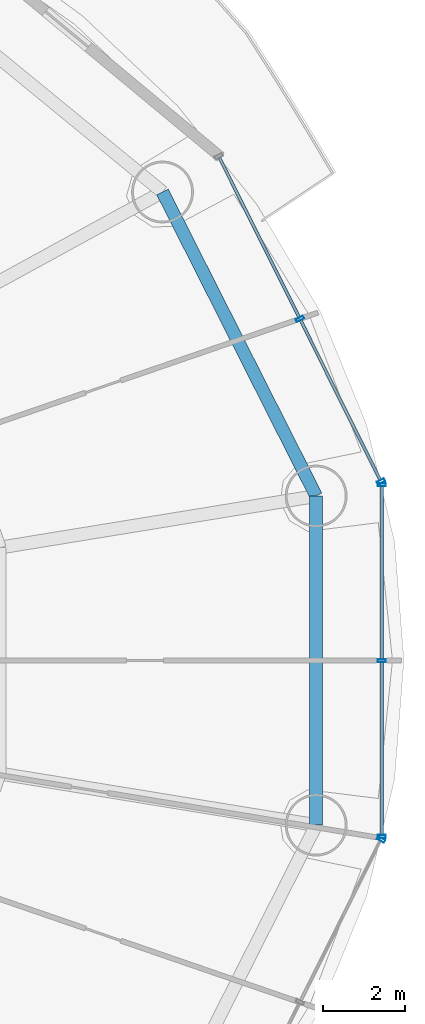
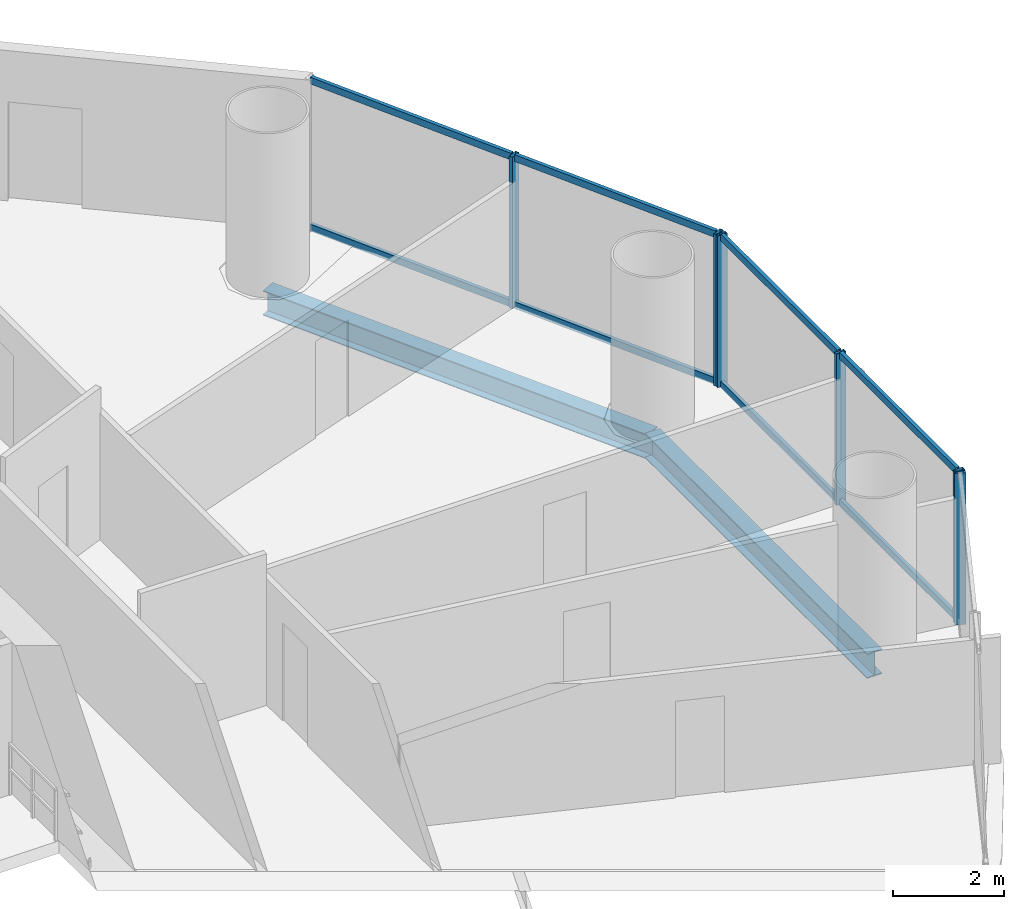
# One storey, part 15 of 29: 14 members, 2 beams, 3 elements without a shape of their own.
"""IFC4 building model written with IfcOpenShell, lengths in metres."""

from ifc_helpers import new_model, si_unit, direction, frame, origin, origin_2d, place, context, subcontext, project, spatial, hollow_rectangle, i_section, extrude, source, transform, mapped, material, material_profile, profile_set, type_object, element, aggregate, save


model = new_model("IFC4")

# Units and contexts
model_context = context("Model", 3, precision=1e-05, world=origin(), true_north=direction((-0.2419218956, 0.970295726276)))
body_context = subcontext(model_context, "Body", "Model", "MODEL_VIEW")
ifc_project = project(units=[si_unit("LENGTHUNIT", "METRE"), si_unit("AREAUNIT", "SQUARE_METRE"), si_unit("VOLUMEUNIT", "CUBIC_METRE"), si_unit("PLANEANGLEUNIT", "RADIAN"), si_unit("MASSUNIT", "GRAM", prefix="KILO")], contexts=[model_context])

# Site, building, storey
site_placement = place(None, origin())
site = spatial("IfcSite", under=ifc_project, at=site_placement, CompositionType="ELEMENT")
building_placement = place(site_placement, origin())
building = spatial("IfcBuilding", under=site, at=building_placement, Name="Cobrevalo Terracotta Tower", CompositionType="ELEMENT")
storey_placement = place(building_placement, frame((0.0, 0.0, 115.800048828125)))
storey = spatial("IfcBuildingStorey", under=building, at=storey_placement, Name="L30", CompositionType="ELEMENT", Elevation=115.800048828125)

# Beams
ifc_material_1 = material(Name="Steel S355", Category="steel")
ifc_material_profile_1 = material_profile(ifc_material_1, i_section(OverallWidth=0.31201171875, OverallDepth=0.54296875, WebThickness=0.0126953125, FlangeThickness=0.020263671875, at=origin_2d()), Name="W 530x150")
ifc_profile_set_1 = profile_set([ifc_material_profile_1], Name="Steel S355")
beam_type = type_object("IfcBeamType", Name="Structural Spandrel W 530x150 (Steel S355)", PredefinedType="SPANDREL", material=ifc_profile_set_1)
beam_1_placement = place(storey_placement, frame((62.470703125, 30.78955078125, -0.546630859375), z_axis=(-0.451051982172, 0.892497680321, 0.0), x_axis=(-0.892497680321, -0.451051982172, 0.0)))
element("IfcBeam", 1, at=beam_1_placement, inside=storey, type_object=beam_type, Name="L30 perimeter ring spandrel 01", PredefinedType="SPANDREL", context=body_context, shape_type="SweptSolid", body=[
    extrude(i_section(OverallWidth=0.31201171875, OverallDepth=0.54296875, WebThickness=0.0126953125, FlangeThickness=0.020263671875, at=origin_2d()), origin(), (0.0, 0.0, 1.0), 8.259765625),
])
beam_2_placement = place(storey_placement, frame((62.470703125, 22.810302734375, -0.546630859375), z_axis=(0.0, 1.0, 0.0), x_axis=(-1.0, 0.0, 0.0)))
element("IfcBeam", 2, at=beam_2_placement, inside=storey, type_object=beam_type, Name="L30 perimeter ring spandrel 16", PredefinedType="SPANDREL", context=body_context, shape_type="SweptSolid", body=[
    extrude(i_section(OverallWidth=0.31201171875, OverallDepth=0.54296875, WebThickness=0.0126953125, FlangeThickness=0.020263671875, at=origin_2d()), origin(), (0.0, 0.0, 1.0), 7.979248046875),
])

# Curtain wall, members
ifc_material_2 = material(Name="Anodized aluminium", Category="aluminium")
curtain_wall_type = type_object("IfcCurtainWallType", Name="Lower-tower unitised acoustic low-E curtain wall CW-U1", PredefinedType="NOTDEFINED", material=ifc_material_2)
curtain_wall_1_placement = place(storey_placement, origin())
curtain_wall_1 = element("IfcCurtainWall", 3, at=curtain_wall_1_placement, inside=storey, type_object=curtain_wall_type, Name="L30 curtain wall CW-L30-S16", PredefinedType="NOTDEFINED")
ifc_material_profile_2 = material_profile(ifc_material_2, hollow_rectangle(XDim=0.074951171875, YDim=0.14990234375, WallThickness=0.00439453125, at=origin_2d()), Name="CWT 75x150")
ifc_profile_set_2 = profile_set([ifc_material_profile_2], Name="Anodized aluminium")
member_type_1 = type_object("IfcMemberType", Name="Tower unitised aluminium transom 75x150", PredefinedType="USERDEFINED", material=ifc_profile_set_2)
shared_shape_1 = source(origin(), body_context, "Body", "SweptSolid", [
    extrude(hollow_rectangle(XDim=0.074951171875, YDim=0.14990234375, WallThickness=0.00439453125, at=origin_2d()), origin(), (0.0, 0.0, 1.0), 4.185546875),
])
member_1_placement = place(storey_placement, frame((64.0595703125, 22.574462890625, 0.050048828125), z_axis=(0.0, 1.0, 0.0), x_axis=(-1.0, 0.0, 0.0)))
member_1 = element("IfcMember", 4, at=member_1_placement, type_object=member_type_1, Name="CW-L30-S16 transom B01-T1", ObjectType="TRANSOM", PredefinedType="USERDEFINED", context=body_context, shape_type="MappedRepresentation", body=[
    mapped(shared_shape_1, transform((0.0, 0.0, 0.0), scale=1.0)),
])
member_2_placement = place(storey_placement, frame((64.0595703125, 22.574462890625, 3.27490234375), z_axis=(0.0, 1.0, 0.0), x_axis=(-1.0, 0.0, 0.0)))
member_2 = element("IfcMember", 5, at=member_2_placement, type_object=member_type_1, Name="CW-L30-S16 transom B01-T2", ObjectType="TRANSOM", PredefinedType="USERDEFINED", context=body_context, shape_type="MappedRepresentation", body=[
    mapped(shared_shape_1, transform((0.0, 0.0, 0.0), scale=1.0)),
])
member_3_placement = place(storey_placement, frame((64.0595703125, 26.840087890625, 0.050048828125), z_axis=(0.0, 1.0, 0.0), x_axis=(-1.0, 0.0, 0.0)))
member_3 = element("IfcMember", 6, at=member_3_placement, type_object=member_type_1, Name="CW-L30-S16 transom B02-T1", ObjectType="TRANSOM", PredefinedType="USERDEFINED", context=body_context, shape_type="MappedRepresentation", body=[
    mapped(shared_shape_1, transform((0.0, 0.0, 0.0), scale=1.0)),
])
member_4_placement = place(storey_placement, frame((64.0595703125, 26.840087890625, 3.27490234375), z_axis=(0.0, 1.0, 0.0), x_axis=(-1.0, 0.0, 0.0)))
member_4 = element("IfcMember", 7, at=member_4_placement, type_object=member_type_1, Name="CW-L30-S16 transom B02-T2", ObjectType="TRANSOM", PredefinedType="USERDEFINED", context=body_context, shape_type="MappedRepresentation", body=[
    mapped(shared_shape_1, transform((0.0, 0.0, 0.0), scale=1.0)),
])

curtain_wall_2_placement = place(storey_placement, origin())
curtain_wall_2 = element("IfcCurtainWall", 8, at=curtain_wall_2_placement, inside=storey, type_object=curtain_wall_type, Name="L30 curtain wall CW-L30-S01", PredefinedType="NOTDEFINED")
ifc_material_profile_3 = material_profile(ifc_material_2, hollow_rectangle(XDim=0.074951171875, YDim=0.199951171875, WallThickness=0.0048828125, at=origin_2d()), Name="CWM 75x200")
ifc_profile_set_3 = profile_set([ifc_material_profile_3], Name="Anodized aluminium")
member_type_2 = type_object("IfcMemberType", Name="Lower/mid tower unitised mullion 75x200", PredefinedType="MULLION", material=ifc_profile_set_3)
shared_shape_2 = source(origin(), body_context, "Body", "SweptSolid", [
    extrude(hollow_rectangle(XDim=0.074951171875, YDim=0.199951171875, WallThickness=0.0048828125, at=origin_2d()), origin(), (0.0, 0.0, 1.0), 3.324951171875),
])
member_5_placement = place(storey_placement, frame((64.04150390625, 31.141357421875, 0.0), z_axis=(0.0, 0.0, 1.0), x_axis=(-0.446260290227, 0.894903208937, 0.0)))
member_5 = element("IfcMember", 9, at=member_5_placement, type_object=member_type_2, Name="CW-L30-S01 vertical mullion 01", PredefinedType="MULLION", context=body_context, shape_type="MappedRepresentation", body=[
    mapped(shared_shape_2, transform((0.0, 0.0, 0.0), scale=1.0)),
])
member_6_placement = place(storey_placement, frame((62.075927734375, 35.08349609375, 0.0), z_axis=(0.0, 0.0, 1.0), x_axis=(-0.446260290227, 0.894903208937, 0.0)))
member_6 = element("IfcMember", 10, at=member_6_placement, type_object=member_type_2, Name="CW-L30-S01 vertical mullion 02", PredefinedType="MULLION", context=body_context, shape_type="MappedRepresentation", body=[
    mapped(shared_shape_2, transform((0.0, 0.0, 0.0), scale=1.0)),
])

# Curtain wall, member
curtain_wall_3_placement = place(storey_placement, origin())
curtain_wall_3 = element("IfcCurtainWall", 11, at=curtain_wall_3_placement, inside=storey, type_object=curtain_wall_type, Name="L30 curtain wall CW-L30-S15", PredefinedType="NOTDEFINED")
member_7_placement = place(storey_placement, frame((64.04150390625, 22.45849609375, 0.0), z_axis=(0.0, 0.0, 1.0), x_axis=(0.446260290227, 0.894903208937, 0.0)))
member_7 = element("IfcMember", 12, at=member_7_placement, type_object=member_type_2, Name="CW-L30-S15 vertical mullion 03", PredefinedType="MULLION", context=body_context, shape_type="MappedRepresentation", body=[
    mapped(shared_shape_2, transform((0.0, 0.0, 0.0), scale=1.0)),
])
aggregate(curtain_wall_3, [member_7])

# Member
member_8_placement = place(storey_placement, frame((64.0595703125, 22.534423828125, 0.0), z_axis=(0.0, 0.0, 1.0), x_axis=(0.0, 1.0, 0.0)))
member_8 = element("IfcMember", 13, at=member_8_placement, type_object=member_type_2, Name="CW-L30-S16 vertical mullion 01", PredefinedType="MULLION", context=body_context, shape_type="MappedRepresentation", body=[
    mapped(shared_shape_2, transform((0.0, 0.0, 0.0), scale=1.0)),
])

member_9_placement = place(storey_placement, frame((64.0595703125, 26.800048828125, 0.0), z_axis=(0.0, 0.0, 1.0), x_axis=(0.0, 1.0, 0.0)))
member_9 = element("IfcMember", 14, at=member_9_placement, type_object=member_type_2, Name="CW-L30-S16 vertical mullion 02", PredefinedType="MULLION", context=body_context, shape_type="MappedRepresentation", body=[
    mapped(shared_shape_2, transform((0.0, 0.0, 0.0), scale=1.0)),
])

member_10_placement = place(storey_placement, frame((64.0595703125, 31.065673828125, 0.0), z_axis=(0.0, 0.0, 1.0), x_axis=(0.0, 1.0, 0.0)))
member_10 = element("IfcMember", 15, at=member_10_placement, type_object=member_type_2, Name="CW-L30-S16 vertical mullion 03", PredefinedType="MULLION", context=body_context, shape_type="MappedRepresentation", body=[
    mapped(shared_shape_2, transform((0.0, 0.0, 0.0), scale=1.0)),
])

aggregate(curtain_wall_1, [member_8, member_9, member_10, member_1, member_2, member_3, member_4])

shared_shape_3 = source(origin(), body_context, "Body", "SweptSolid", [
    extrude(hollow_rectangle(XDim=0.074951171875, YDim=0.14990234375, WallThickness=0.00439453125, at=origin_2d()), origin(), (0.0, 0.0, 1.0), 4.324951171875),
])
member_11_placement = place(storey_placement, frame((64.023681640625, 31.17724609375, 0.050048828125), z_axis=(-0.446219838389, 0.894923379864, 0.0), x_axis=(-0.894923379864, -0.446219838389, 0.0)))
member_11 = element("IfcMember", 16, at=member_11_placement, type_object=member_type_1, Name="CW-L30-S01 transom B01-T1", ObjectType="TRANSOM", PredefinedType="USERDEFINED", context=body_context, shape_type="MappedRepresentation", body=[
    mapped(shared_shape_3, transform((0.0, 0.0, 0.0), scale=1.0)),
])

member_12_placement = place(storey_placement, frame((64.023681640625, 31.17724609375, 3.27490234375), z_axis=(-0.446219838389, 0.894923379864, 0.0), x_axis=(-0.894923379864, -0.446219838389, 0.0)))
member_12 = element("IfcMember", 17, at=member_12_placement, type_object=member_type_1, Name="CW-L30-S01 transom B01-T2", ObjectType="TRANSOM", PredefinedType="USERDEFINED", context=body_context, shape_type="MappedRepresentation", body=[
    mapped(shared_shape_3, transform((0.0, 0.0, 0.0), scale=1.0)),
])

member_13_placement = place(storey_placement, frame((62.057861328125, 35.119384765625, 0.050048828125), z_axis=(-0.44624238083, 0.894912139571, 0.0), x_axis=(-0.894912139571, -0.44624238083, 0.0)))
member_13 = element("IfcMember", 18, at=member_13_placement, type_object=member_type_1, Name="CW-L30-S01 transom B02-T1", ObjectType="TRANSOM", PredefinedType="USERDEFINED", context=body_context, shape_type="MappedRepresentation", body=[
    mapped(shared_shape_3, transform((0.0, 0.0, 0.0), scale=1.0)),
])

member_14_placement = place(storey_placement, frame((62.057861328125, 35.119384765625, 3.27490234375), z_axis=(-0.44624238083, 0.894912139571, 0.0), x_axis=(-0.894912139571, -0.44624238083, 0.0)))
member_14 = element("IfcMember", 19, at=member_14_placement, type_object=member_type_1, Name="CW-L30-S01 transom B02-T2", ObjectType="TRANSOM", PredefinedType="USERDEFINED", context=body_context, shape_type="MappedRepresentation", body=[
    mapped(shared_shape_3, transform((0.0, 0.0, 0.0), scale=1.0)),
])

aggregate(curtain_wall_2, [member_5, member_6, member_11, member_12, member_13, member_14])

save(model, "model.ifc")
